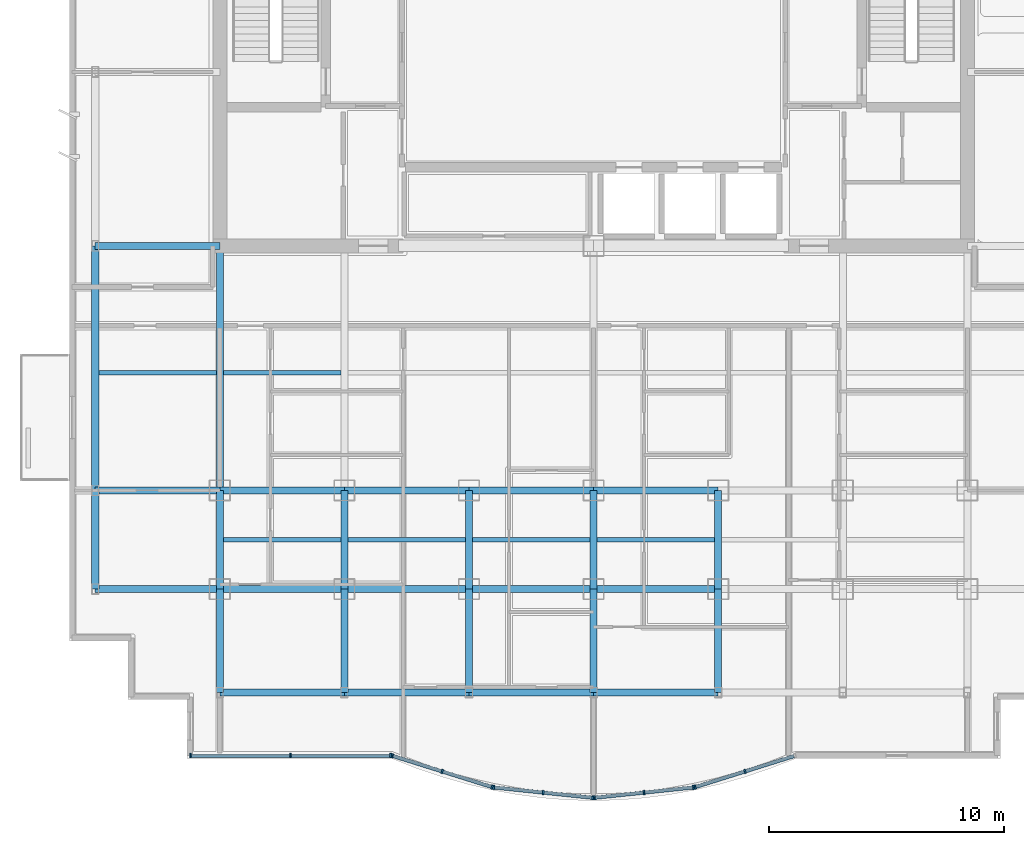
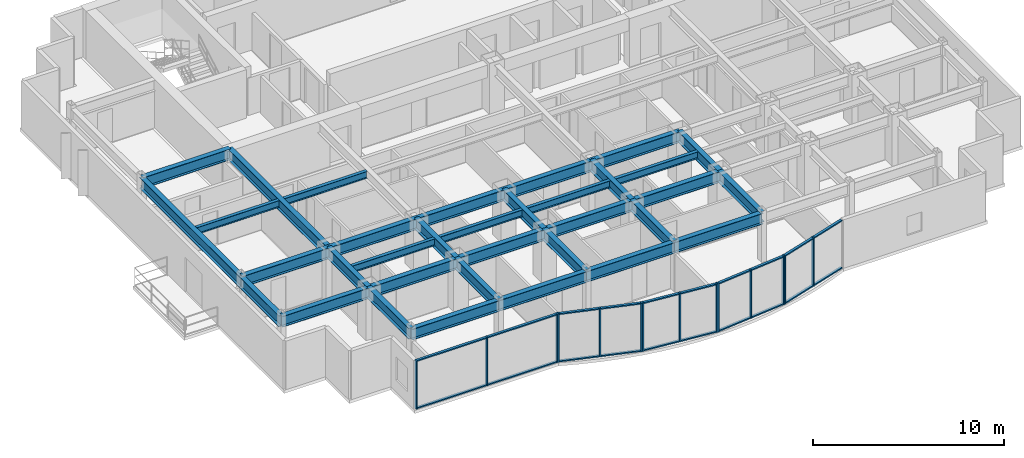
# One storey, part 2 of 11: 34 beams, 34 members, 5 elements without a shape of their own.
"""IFC4 building model written with IfcOpenShell, lengths in metres."""

from ifc_helpers import new_model, si_unit, direction, frame, origin, origin_2d, place, context, subcontext, project, spatial, rectangle, i_section, extrude, source, transform, mapped, material, layer, layer_set, material_profile, profile_set, type_object, element, aggregate, save


model = new_model("IFC4")

# Units and contexts
model_context = context("Model", 3, precision=1e-05, world=origin(), true_north=direction((0.0, 1.0)))
body_context = subcontext(model_context, "Body", "Model", "MODEL_VIEW")
ifc_project = project(units=[si_unit("LENGTHUNIT", "METRE"), si_unit("AREAUNIT", "SQUARE_METRE"), si_unit("VOLUMEUNIT", "CUBIC_METRE"), si_unit("PLANEANGLEUNIT", "RADIAN"), si_unit("MASSUNIT", "GRAM", prefix="KILO")], contexts=[model_context])

# Site, building, storey
site_placement = place(None, origin())
site = spatial("IfcSite", under=ifc_project, at=site_placement, CompositionType="ELEMENT")
building_placement = place(site_placement, origin())
building = spatial("IfcBuilding", under=site, at=building_placement, Name="Qianlan Lanfeng Residences", CompositionType="ELEMENT")
storey_placement = place(building_placement, frame((0.0, 0.0, 155.699951171875)))
storey = spatial("IfcBuildingStorey", under=building, at=storey_placement, Name="L42", CompositionType="ELEMENT", Elevation=155.699951171875)

# Beams
ifc_material_1 = material(Name="Steel SN490B", Category="steel")
ifc_material_profile_1 = material_profile(ifc_material_1, i_section(OverallWidth=0.300048828125, OverallDepth=0.699951171875, WebThickness=0.012939453125, FlangeThickness=0.02392578125, at=origin_2d()), Name="H 700x300x13x24")
ifc_profile_set_1 = profile_set([ifc_material_profile_1], Name="Steel SN490B")
beam_type_1 = type_object("IfcBeamType", Name="G-750", PredefinedType="BEAM", material=ifc_profile_set_1)
beam_1_placement = place(storey_placement, frame((5.300048828125, 10.60009765625, 2.75), z_axis=(1.0, 0.0, 0.0), x_axis=(0.0, 1.0, 0.0)))
element("IfcBeam", 1, at=beam_1_placement, inside=storey, type_object=beam_type_1, Name="Structural beam G-750", PredefinedType="BEAM", context=body_context, shape_type="SweptSolid", body=[
    extrude(i_section(OverallWidth=0.300048828125, OverallDepth=0.699951171875, WebThickness=0.012939453125, FlangeThickness=0.02392578125, at=origin_2d()), origin(), (0.0, 0.0, 1.0), 5.300048828125),
])
beam_2_placement = place(storey_placement, frame((10.60009765625, 10.60009765625, 2.75), z_axis=(1.0, 0.0, 0.0), x_axis=(0.0, 1.0, 0.0)))
element("IfcBeam", 2, at=beam_2_placement, inside=storey, type_object=beam_type_1, Name="Structural beam G-750", PredefinedType="BEAM", context=body_context, shape_type="SweptSolid", body=[
    extrude(i_section(OverallWidth=0.300048828125, OverallDepth=0.699951171875, WebThickness=0.012939453125, FlangeThickness=0.02392578125, at=origin_2d()), origin(), (0.0, 0.0, 1.0), 5.2998046875),
])
for number, where, z_axis, x_axis, name in (
    (3, (15.89990234375, 10.60009765625, 2.75), (1.0, 0.0, 0.0), (0.0, 1.0, 0.0), "Structural beam G-750"),
    (4, (21.199951171875, 10.60009765625, 2.75), (1.0, 0.0, 0.0), (0.0, 1.0, 0.0), "Structural beam G-750"),
    (5, (26.5, 10.60009765625, 2.75), (1.0, 0.0, 0.0), (0.0, 1.0, 0.0), "Structural beam G-750"),
    (6, (5.300048828125, 14.800048828125, 2.75), (1.0, 0.0, 0.0), (0.0, 1.0, 0.0), "Structural beam G-750"),
):
    element("IfcBeam", number, at=place(storey_placement, frame(where, z_axis=z_axis, x_axis=x_axis)), inside=storey, type_object=beam_type_1, Name=name, PredefinedType="BEAM", context=body_context, shape_type="SweptSolid", body=[
        extrude(i_section(OverallWidth=0.300048828125, OverallDepth=0.699951171875, WebThickness=0.012939453125, FlangeThickness=0.02392578125, at=origin_2d()), origin(), (0.0, 0.0, 1.0), 5.300048828125),
    ])
beam_3_placement = place(storey_placement, frame((10.60009765625, 14.800048828125, 2.75), z_axis=(1.0, 0.0, 0.0), x_axis=(0.0, 1.0, 0.0)))
element("IfcBeam", 7, at=beam_3_placement, inside=storey, type_object=beam_type_1, Name="Structural beam G-750", PredefinedType="BEAM", context=body_context, shape_type="SweptSolid", body=[
    extrude(i_section(OverallWidth=0.300048828125, OverallDepth=0.699951171875, WebThickness=0.012939453125, FlangeThickness=0.02392578125, at=origin_2d()), origin(), (0.0, 0.0, 1.0), 5.2998046875),
])
for number, where, z_axis, x_axis, name in (
    (8, (15.89990234375, 14.800048828125, 2.75), (1.0, 0.0, 0.0), (0.0, 1.0, 0.0), "Structural beam G-750"),
    (9, (21.199951171875, 14.800048828125, 2.75), (1.0, 0.0, 0.0), (0.0, 1.0, 0.0), "Structural beam G-750"),
    (10, (26.5, 14.800048828125, 2.75), (1.0, 0.0, 0.0), (0.0, 1.0, 0.0), "Structural beam G-750"),
    (11, (5.300048828125, 25.199951171875, 2.75), (1.0, 0.0, 0.0), (0.0, 1.0, 0.0), "Structural beam G-750"),
):
    element("IfcBeam", number, at=place(storey_placement, frame(where, z_axis=z_axis, x_axis=x_axis)), inside=storey, type_object=beam_type_1, Name=name, PredefinedType="BEAM", context=body_context, shape_type="SweptSolid", body=[
        extrude(i_section(OverallWidth=0.300048828125, OverallDepth=0.699951171875, WebThickness=0.012939453125, FlangeThickness=0.02392578125, at=origin_2d()), origin(), (0.0, 0.0, 1.0), 5.300048828125),
    ])
beam_4_placement = place(storey_placement, frame((10.60009765625, 6.199951171875, 2.75), z_axis=(0.0, 1.0, 0.0), x_axis=(-1.0, 0.0, 0.0)))
element("IfcBeam", 12, at=beam_4_placement, inside=storey, type_object=beam_type_1, Name="Structural beam G-750", PredefinedType="BEAM", context=body_context, shape_type="SweptSolid", body=[
    extrude(i_section(OverallWidth=0.300048828125, OverallDepth=0.699951171875, WebThickness=0.012939453125, FlangeThickness=0.02392578125, at=origin_2d()), origin(), (0.0, 0.0, 1.0), 4.400146484375),
])
beam_5_placement = place(storey_placement, frame((10.60009765625, 10.60009765625, 2.75), z_axis=(0.0, 1.0, 0.0), x_axis=(-1.0, 0.0, 0.0)))
element("IfcBeam", 13, at=beam_5_placement, inside=storey, type_object=beam_type_1, Name="Structural beam G-750", PredefinedType="BEAM", context=body_context, shape_type="SweptSolid", body=[
    extrude(i_section(OverallWidth=0.300048828125, OverallDepth=0.699951171875, WebThickness=0.012939453125, FlangeThickness=0.02392578125, at=origin_2d()), origin(), (0.0, 0.0, 1.0), 4.199951171875),
])
beam_6_placement = place(storey_placement, frame((10.60009765625, 14.800048828125, 2.75), z_axis=(0.0, 1.0, 0.0), x_axis=(-1.0, 0.0, 0.0)))
element("IfcBeam", 14, at=beam_6_placement, inside=storey, type_object=beam_type_1, Name="Structural beam G-750", PredefinedType="BEAM", context=body_context, shape_type="SweptSolid", body=[
    extrude(i_section(OverallWidth=0.300048828125, OverallDepth=0.699951171875, WebThickness=0.012939453125, FlangeThickness=0.02392578125, at=origin_2d()), origin(), (0.0, 0.0, 1.0), 10.39990234375),
])
beam_7_placement = place(storey_placement, frame((15.89990234375, 6.199951171875, 2.75), z_axis=(0.0, 1.0, 0.0), x_axis=(-1.0, 0.0, 0.0)))
element("IfcBeam", 15, at=beam_7_placement, inside=storey, type_object=beam_type_1, Name="Structural beam G-750", PredefinedType="BEAM", context=body_context, shape_type="SweptSolid", body=[
    extrude(i_section(OverallWidth=0.300048828125, OverallDepth=0.699951171875, WebThickness=0.012939453125, FlangeThickness=0.02392578125, at=origin_2d()), origin(), (0.0, 0.0, 1.0), 4.400146484375),
])
beam_8_placement = place(storey_placement, frame((15.89990234375, 10.60009765625, 2.75), z_axis=(0.0, 1.0, 0.0), x_axis=(-1.0, 0.0, 0.0)))
element("IfcBeam", 16, at=beam_8_placement, inside=storey, type_object=beam_type_1, Name="Structural beam G-750", PredefinedType="BEAM", context=body_context, shape_type="SweptSolid", body=[
    extrude(i_section(OverallWidth=0.300048828125, OverallDepth=0.699951171875, WebThickness=0.012939453125, FlangeThickness=0.02392578125, at=origin_2d()), origin(), (0.0, 0.0, 1.0), 4.199951171875),
])
beam_9_placement = place(storey_placement, frame((21.199951171875, 6.199951171875, 2.75), z_axis=(0.0, 1.0, 0.0), x_axis=(-1.0, 0.0, 0.0)))
element("IfcBeam", 17, at=beam_9_placement, inside=storey, type_object=beam_type_1, Name="Structural beam G-750", PredefinedType="BEAM", context=body_context, shape_type="SweptSolid", body=[
    extrude(i_section(OverallWidth=0.300048828125, OverallDepth=0.699951171875, WebThickness=0.012939453125, FlangeThickness=0.02392578125, at=origin_2d()), origin(), (0.0, 0.0, 1.0), 4.400146484375),
])
beam_10_placement = place(storey_placement, frame((21.199951171875, 10.60009765625, 2.75), z_axis=(0.0, 1.0, 0.0), x_axis=(-1.0, 0.0, 0.0)))
element("IfcBeam", 18, at=beam_10_placement, inside=storey, type_object=beam_type_1, Name="Structural beam G-750", PredefinedType="BEAM", context=body_context, shape_type="SweptSolid", body=[
    extrude(i_section(OverallWidth=0.300048828125, OverallDepth=0.699951171875, WebThickness=0.012939453125, FlangeThickness=0.02392578125, at=origin_2d()), origin(), (0.0, 0.0, 1.0), 4.199951171875),
])
beam_11_placement = place(storey_placement, frame((26.5, 6.199951171875, 2.75), z_axis=(0.0, 1.0, 0.0), x_axis=(-1.0, 0.0, 0.0)))
element("IfcBeam", 19, at=beam_11_placement, inside=storey, type_object=beam_type_1, Name="Structural beam G-750", PredefinedType="BEAM", context=body_context, shape_type="SweptSolid", body=[
    extrude(i_section(OverallWidth=0.300048828125, OverallDepth=0.699951171875, WebThickness=0.012939453125, FlangeThickness=0.02392578125, at=origin_2d()), origin(), (0.0, 0.0, 1.0), 4.400146484375),
])
beam_12_placement = place(storey_placement, frame((26.5, 10.60009765625, 2.75), z_axis=(0.0, 1.0, 0.0), x_axis=(-1.0, 0.0, 0.0)))
element("IfcBeam", 20, at=beam_12_placement, inside=storey, type_object=beam_type_1, Name="Structural beam G-750", PredefinedType="BEAM", context=body_context, shape_type="SweptSolid", body=[
    extrude(i_section(OverallWidth=0.300048828125, OverallDepth=0.699951171875, WebThickness=0.012939453125, FlangeThickness=0.02392578125, at=origin_2d()), origin(), (0.0, 0.0, 1.0), 4.199951171875),
])
beam_13_placement = place(storey_placement, frame((31.800048828125, 6.199951171875, 2.75), z_axis=(0.0, 1.0, 0.0), x_axis=(-1.0, 0.0, 0.0)))
element("IfcBeam", 21, at=beam_13_placement, inside=storey, type_object=beam_type_1, Name="Structural beam G-750", PredefinedType="BEAM", context=body_context, shape_type="SweptSolid", body=[
    extrude(i_section(OverallWidth=0.300048828125, OverallDepth=0.699951171875, WebThickness=0.012939453125, FlangeThickness=0.02392578125, at=origin_2d()), origin(), (0.0, 0.0, 1.0), 4.400146484375),
])
beam_14_placement = place(storey_placement, frame((31.800048828125, 10.60009765625, 2.75), z_axis=(0.0, 1.0, 0.0), x_axis=(-1.0, 0.0, 0.0)))
element("IfcBeam", 22, at=beam_14_placement, inside=storey, type_object=beam_type_1, Name="Structural beam G-750", PredefinedType="BEAM", context=body_context, shape_type="SweptSolid", body=[
    extrude(i_section(OverallWidth=0.300048828125, OverallDepth=0.699951171875, WebThickness=0.012939453125, FlangeThickness=0.02392578125, at=origin_2d()), origin(), (0.0, 0.0, 1.0), 4.199951171875),
])
ifc_material_profile_2 = material_profile(ifc_material_1, i_section(OverallWidth=0.199951171875, OverallDepth=0.449951171875, WebThickness=0.009033203125, FlangeThickness=0.013916015625, at=origin_2d()), Name="H 450x200x9x14")
ifc_profile_set_2 = profile_set([ifc_material_profile_2], Name="Steel SN490B")
beam_type_2 = type_object("IfcBeamType", Name="J-450", PredefinedType="JOIST", material=ifc_profile_set_2)
for number, where, z_axis, x_axis, name in (
    (23, (10.75, 12.699951171875, 2.875), (1.0, 0.0, 0.0), (0.0, 1.0, 0.0), "Structural beam J-450"),
    (24, (16.050048828125, 12.699951171875, 2.875), (1.0, 0.0, 0.0), (0.0, 1.0, 0.0), "Structural beam J-450"),
    (25, (21.35009765625, 12.699951171875, 2.875), (1.0, 0.0, 0.0), (0.0, 1.0, 0.0), "Structural beam J-450"),
    (26, (26.64990234375, 12.699951171875, 2.875), (1.0, 0.0, 0.0), (0.0, 1.0, 0.0), "Structural beam J-450"),
    (27, (5.449951171875, 19.800048828125, 2.875), (1.0, 0.0, 0.0), (0.0, 1.0, 0.0), "Structural beam J-450"),
    (28, (10.75, 19.800048828125, 2.875), (1.0, 0.0, 0.0), (0.0, 1.0, 0.0), "Structural beam J-450"),
):
    element("IfcBeam", number, at=place(storey_placement, frame(where, z_axis=z_axis, x_axis=x_axis)), inside=storey, type_object=beam_type_2, Name=name, PredefinedType="JOIST", context=body_context, shape_type="SweptSolid", body=[
        extrude(i_section(OverallWidth=0.199951171875, OverallDepth=0.449951171875, WebThickness=0.009033203125, FlangeThickness=0.013916015625, at=origin_2d()), origin(), (0.0, 0.0, 1.0), 5.0),
    ])
ifc_material_profile_3 = material_profile(ifc_material_1, i_section(OverallWidth=0.300048828125, OverallDepth=0.699951171875, WebThickness=0.012939453125, FlangeThickness=0.02392578125, at=origin_2d()), Name="H 700x300x13x24")
ifc_profile_set_3 = profile_set([ifc_material_profile_3], Name="Steel SN490B")
beam_type_3 = type_object("IfcBeamType", Name="SG-750", PredefinedType="SPANDREL", material=ifc_profile_set_3)
beam_15_placement = place(storey_placement, frame((10.60009765625, 6.199951171875, 2.739990234375), z_axis=(1.0, 0.0, 0.0), x_axis=(0.0, 1.0, 0.0)))
element("IfcBeam", 29, at=beam_15_placement, inside=storey, type_object=beam_type_3, Name="Structural beam SG-750", PredefinedType="SPANDREL", context=body_context, shape_type="SweptSolid", body=[
    extrude(i_section(OverallWidth=0.300048828125, OverallDepth=0.699951171875, WebThickness=0.012939453125, FlangeThickness=0.02392578125, at=origin_2d()), origin(), (0.0, 0.0, 1.0), 5.2998046875),
])
for number, where, z_axis, x_axis, name in (
    (30, (15.89990234375, 6.199951171875, 2.739990234375), (1.0, 0.0, 0.0), (0.0, 1.0, 0.0), "Structural beam SG-750"),
    (31, (21.199951171875, 6.199951171875, 2.739990234375), (1.0, 0.0, 0.0), (0.0, 1.0, 0.0), "Structural beam SG-750"),
    (32, (26.5, 6.199951171875, 2.739990234375), (1.0, 0.0, 0.0), (0.0, 1.0, 0.0), "Structural beam SG-750"),
):
    element("IfcBeam", number, at=place(storey_placement, frame(where, z_axis=z_axis, x_axis=x_axis)), inside=storey, type_object=beam_type_3, Name=name, PredefinedType="SPANDREL", context=body_context, shape_type="SweptSolid", body=[
        extrude(i_section(OverallWidth=0.300048828125, OverallDepth=0.699951171875, WebThickness=0.012939453125, FlangeThickness=0.02392578125, at=origin_2d()), origin(), (0.0, 0.0, 1.0), 5.300048828125),
    ])
beam_16_placement = place(storey_placement, frame((5.300048828125, 10.60009765625, 2.739990234375), z_axis=(0.0, 1.0, 0.0), x_axis=(-1.0, 0.0, 0.0)))
element("IfcBeam", 33, at=beam_16_placement, inside=storey, type_object=beam_type_3, Name="Structural beam SG-750", PredefinedType="SPANDREL", context=body_context, shape_type="SweptSolid", body=[
    extrude(i_section(OverallWidth=0.300048828125, OverallDepth=0.699951171875, WebThickness=0.012939453125, FlangeThickness=0.02392578125, at=origin_2d()), origin(), (0.0, 0.0, 1.0), 4.199951171875),
])
beam_17_placement = place(storey_placement, frame((5.300048828125, 14.800048828125, 2.739990234375), z_axis=(0.0, 1.0, 0.0), x_axis=(-1.0, 0.0, 0.0)))
element("IfcBeam", 34, at=beam_17_placement, inside=storey, type_object=beam_type_3, Name="Structural beam SG-750", PredefinedType="SPANDREL", context=body_context, shape_type="SweptSolid", body=[
    extrude(i_section(OverallWidth=0.300048828125, OverallDepth=0.699951171875, WebThickness=0.012939453125, FlangeThickness=0.02392578125, at=origin_2d()), origin(), (0.0, 0.0, 1.0), 10.39990234375),
])

# Curtain wall, members
ifc_material_2 = material(Name="Anodised Bronze Aluminium 6063-T6", Category="aluminium")
ifc_layer = layer(ifc_material_2, 0.219970703125)
ifc_layer_set = layer_set([ifc_layer], Name="Anodised Bronze Aluminium 6063-T6")
curtain_wall_type = type_object("IfcCurtainWallType", Name="CW-04", PredefinedType="NOTDEFINED", material=ifc_layer_set)
curtain_wall_1_placement = place(storey_placement, origin())
curtain_wall_1 = element("IfcCurtainWall", 35, at=curtain_wall_1_placement, inside=storey, type_object=curtain_wall_type, Name="L42 Unitised Curtain Wall CWR-L42-01 (CW-04)", PredefinedType="NOTDEFINED")
ifc_material_profile_4 = material_profile(ifc_material_2, rectangle(XDim=0.074951171875, YDim=0.14990234375, at=origin_2d()), Name="ALU TRANSOM 75x150")
ifc_profile_set_4 = profile_set([ifc_material_profile_4], Name="Anodised Bronze Aluminium 6063-T6")
member_type_1 = type_object("IfcMemberType", Name="CWT-150", PredefinedType="USERDEFINED", material=ifc_profile_set_4)
shared_shape_1 = source(origin(), body_context, "Body", "SweptSolid", [
    extrude(rectangle(XDim=0.074951171875, YDim=0.14990234375, at=origin_2d()), origin(), (0.0, 0.0, 1.0), 4.178955078125),
])
member_1_placement = place(storey_placement, frame((9.39501953125, 3.52001953125, 0.03759765625), z_axis=(1.0, 0.0, 0.0), x_axis=(0.0, 0.0, 1.0)))
member_1 = element("IfcMember", 36, at=member_1_placement, type_object=member_type_1, Name="CWR-L42-01 Transom 1-BOT", ObjectType="TRANSOM", PredefinedType="USERDEFINED", context=body_context, shape_type="MappedRepresentation", body=[
    mapped(shared_shape_1, transform((0.0, 0.0, 0.0), scale=1.0)),
])
member_2_placement = place(storey_placement, frame((9.39501953125, 3.52001953125, 3.0625), z_axis=(1.0, 0.0, 0.0), x_axis=(0.0, 0.0, 1.0)))
member_2 = element("IfcMember", 37, at=member_2_placement, type_object=member_type_1, Name="CWR-L42-01 Transom 1-TOP", ObjectType="TRANSOM", PredefinedType="USERDEFINED", context=body_context, shape_type="MappedRepresentation", body=[
    mapped(shared_shape_1, transform((0.0, 0.0, 0.0), scale=1.0)),
])
member_3_placement = place(storey_placement, frame((13.64892578125, 3.52001953125, 0.03759765625), z_axis=(1.0, 0.0, 0.0), x_axis=(0.0, 0.0, 1.0)))
member_3 = element("IfcMember", 38, at=member_3_placement, type_object=member_type_1, Name="CWR-L42-01 Transom 2-BOT", ObjectType="TRANSOM", PredefinedType="USERDEFINED", context=body_context, shape_type="MappedRepresentation", body=[
    mapped(shared_shape_1, transform((0.0, 0.0, 0.0), scale=1.0)),
])
member_4_placement = place(storey_placement, frame((13.64892578125, 3.52001953125, 3.0625), z_axis=(1.0, 0.0, 0.0), x_axis=(0.0, 0.0, 1.0)))
member_4 = element("IfcMember", 39, at=member_4_placement, type_object=member_type_1, Name="CWR-L42-01 Transom 2-TOP", ObjectType="TRANSOM", PredefinedType="USERDEFINED", context=body_context, shape_type="MappedRepresentation", body=[
    mapped(shared_shape_1, transform((0.0, 0.0, 0.0), scale=1.0)),
])

curtain_wall_2_placement = place(storey_placement, origin())
curtain_wall_2 = element("IfcCurtainWall", 40, at=curtain_wall_2_placement, inside=storey, type_object=curtain_wall_type, Name="L42 Unitised Curtain Wall CWR-L42-04 (CW-04)", PredefinedType="NOTDEFINED")
shared_shape_2 = source(origin(), body_context, "Body", "SweptSolid", [
    extrude(rectangle(XDim=0.074951171875, YDim=0.14990234375, at=origin_2d()), origin(), (0.0, 0.0, 1.0), 2.04150390625),
])
member_5_placement = place(storey_placement, frame((26.57470703125, 1.727783203125, 0.03759765625), z_axis=(0.994573388245, 0.104037374988, 0.0), x_axis=(0.0, 0.0, 1.0)))
member_5 = element("IfcMember", 41, at=member_5_placement, type_object=member_type_1, Name="CWR-L42-04 Transom 1-BOT", ObjectType="TRANSOM", PredefinedType="USERDEFINED", context=body_context, shape_type="MappedRepresentation", body=[
    mapped(shared_shape_2, transform((0.0, 0.0, 0.0), scale=1.0)),
])
member_6_placement = place(storey_placement, frame((26.57470703125, 1.727783203125, 3.0625), z_axis=(0.994573388245, 0.104037374988, 0.0), x_axis=(0.0, 0.0, 1.0)))
member_6 = element("IfcMember", 42, at=member_6_placement, type_object=member_type_1, Name="CWR-L42-04 Transom 1-TOP", ObjectType="TRANSOM", PredefinedType="USERDEFINED", context=body_context, shape_type="MappedRepresentation", body=[
    mapped(shared_shape_2, transform((0.0, 0.0, 0.0), scale=1.0)),
])

curtain_wall_3_placement = place(storey_placement, origin())
curtain_wall_3 = element("IfcCurtainWall", 43, at=curtain_wall_3_placement, inside=storey, type_object=curtain_wall_type, Name="L42 Unitised Curtain Wall CWR-L42-03 (CW-04)", PredefinedType="NOTDEFINED")
shared_shape_3 = source(origin(), body_context, "Body", "SweptSolid", [
    extrude(rectangle(XDim=0.074951171875, YDim=0.14990234375, at=origin_2d()), origin(), (0.0, 0.0, 1.0), 2.041748046875),
])
member_7_placement = place(storey_placement, frame((22.28955078125, 2.16015625, 0.03759765625), z_axis=(0.994587046158, -0.103906725548, 0.0), x_axis=(0.0, 0.0, 1.0)))
member_7 = element("IfcMember", 44, at=member_7_placement, type_object=member_type_1, Name="CWR-L42-03 Transom 1-BOT", ObjectType="TRANSOM", PredefinedType="USERDEFINED", context=body_context, shape_type="MappedRepresentation", body=[
    mapped(shared_shape_3, transform((0.0, 0.0, 0.0), scale=1.0)),
])
member_8_placement = place(storey_placement, frame((22.28955078125, 2.16015625, 3.0625), z_axis=(0.994587046158, -0.103906725548, 0.0), x_axis=(0.0, 0.0, 1.0)))
member_8 = element("IfcMember", 45, at=member_8_placement, type_object=member_type_1, Name="CWR-L42-03 Transom 1-TOP", ObjectType="TRANSOM", PredefinedType="USERDEFINED", context=body_context, shape_type="MappedRepresentation", body=[
    mapped(shared_shape_3, transform((0.0, 0.0, 0.0), scale=1.0)),
])
member_9_placement = place(storey_placement, frame((24.394775390625, 1.940185546875, 0.03759765625), z_axis=(0.994574682356, -0.104025002843, 0.0), x_axis=(0.0, 0.0, 1.0)))
member_9 = element("IfcMember", 46, at=member_9_placement, type_object=member_type_1, Name="CWR-L42-03 Transom 2-BOT", ObjectType="TRANSOM", PredefinedType="USERDEFINED", context=body_context, shape_type="MappedRepresentation", body=[
    mapped(shared_shape_3, transform((0.0, 0.0, 0.0), scale=1.0)),
])
member_10_placement = place(storey_placement, frame((24.394775390625, 1.940185546875, 3.0625), z_axis=(0.994574682356, -0.104025002843, 0.0), x_axis=(0.0, 0.0, 1.0)))
member_10 = element("IfcMember", 47, at=member_10_placement, type_object=member_type_1, Name="CWR-L42-03 Transom 2-TOP", ObjectType="TRANSOM", PredefinedType="USERDEFINED", context=body_context, shape_type="MappedRepresentation", body=[
    mapped(shared_shape_3, transform((0.0, 0.0, 0.0), scale=1.0)),
])

# Member
member_11_placement = place(storey_placement, frame((28.6796875, 1.947998046875, 0.03759765625), z_axis=(0.994587046158, 0.103906725548, 0.0), x_axis=(0.0, 0.0, 1.0)))
member_11 = element("IfcMember", 48, at=member_11_placement, type_object=member_type_1, Name="CWR-L42-04 Transom 2-BOT", ObjectType="TRANSOM", PredefinedType="USERDEFINED", context=body_context, shape_type="MappedRepresentation", body=[
    mapped(shared_shape_3, transform((0.0, 0.0, 0.0), scale=1.0)),
])

member_12_placement = place(storey_placement, frame((28.6796875, 1.947998046875, 3.0625), z_axis=(0.994587046158, 0.103906725548, 0.0), x_axis=(0.0, 0.0, 1.0)))
member_12 = element("IfcMember", 49, at=member_12_placement, type_object=member_type_1, Name="CWR-L42-04 Transom 2-TOP", ObjectType="TRANSOM", PredefinedType="USERDEFINED", context=body_context, shape_type="MappedRepresentation", body=[
    mapped(shared_shape_3, transform((0.0, 0.0, 0.0), scale=1.0)),
])

# Curtain wall, members
curtain_wall_4_placement = place(storey_placement, origin())
curtain_wall_4 = element("IfcCurtainWall", 50, at=curtain_wall_4_placement, inside=storey, type_object=curtain_wall_type, Name="L42 Unitised Curtain Wall CWR-L42-02 (CW-04)", PredefinedType="NOTDEFINED")
shared_shape_4 = source(origin(), body_context, "Body", "SweptSolid", [
    extrude(rectangle(XDim=0.074951171875, YDim=0.14990234375, at=origin_2d()), origin(), (0.0, 0.0, 1.0), 2.14697265625),
])
member_13_placement = place(storey_placement, frame((17.974609375, 3.49755859375, 0.03759765625), z_axis=(0.954194238714, -0.299187825296, 0.0), x_axis=(0.0, 0.0, 1.0)))
member_13 = element("IfcMember", 51, at=member_13_placement, type_object=member_type_1, Name="CWR-L42-02 Transom 1-BOT", ObjectType="TRANSOM", PredefinedType="USERDEFINED", context=body_context, shape_type="MappedRepresentation", body=[
    mapped(shared_shape_4, transform((0.0, 0.0, 0.0), scale=1.0)),
])
member_14_placement = place(storey_placement, frame((17.974609375, 3.49755859375, 3.0625), z_axis=(0.954194238714, -0.299187825296, 0.0), x_axis=(0.0, 0.0, 1.0)))
member_14 = element("IfcMember", 52, at=member_14_placement, type_object=member_type_1, Name="CWR-L42-02 Transom 1-TOP", ObjectType="TRANSOM", PredefinedType="USERDEFINED", context=body_context, shape_type="MappedRepresentation", body=[
    mapped(shared_shape_4, transform((0.0, 0.0, 0.0), scale=1.0)),
])
member_15_placement = place(storey_placement, frame((20.0947265625, 2.832763671875, 0.03759765625), z_axis=(0.954194238714, -0.299187825296, 0.0), x_axis=(0.0, 0.0, 1.0)))
member_15 = element("IfcMember", 53, at=member_15_placement, type_object=member_type_1, Name="CWR-L42-02 Transom 2-BOT", ObjectType="TRANSOM", PredefinedType="USERDEFINED", context=body_context, shape_type="MappedRepresentation", body=[
    mapped(shared_shape_4, transform((0.0, 0.0, 0.0), scale=1.0)),
])
member_16_placement = place(storey_placement, frame((20.0947265625, 2.832763671875, 3.0625), z_axis=(0.954194238714, -0.299187825296, 0.0), x_axis=(0.0, 0.0, 1.0)))
member_16 = element("IfcMember", 54, at=member_16_placement, type_object=member_type_1, Name="CWR-L42-02 Transom 2-TOP", ObjectType="TRANSOM", PredefinedType="USERDEFINED", context=body_context, shape_type="MappedRepresentation", body=[
    mapped(shared_shape_4, transform((0.0, 0.0, 0.0), scale=1.0)),
])

curtain_wall_5_placement = place(storey_placement, origin())
curtain_wall_5 = element("IfcCurtainWall", 55, at=curtain_wall_5_placement, inside=storey, type_object=curtain_wall_type, Name="L42 Unitised Curtain Wall CWR-L42-05 (CW-04)", PredefinedType="NOTDEFINED")
member_17_placement = place(storey_placement, frame((30.856689453125, 2.1904296875, 0.03759765625), z_axis=(0.954194238714, 0.299187825296, 0.0), x_axis=(0.0, 0.0, 1.0)))
member_17 = element("IfcMember", 56, at=member_17_placement, type_object=member_type_1, Name="CWR-L42-05 Transom 1-BOT", ObjectType="TRANSOM", PredefinedType="USERDEFINED", context=body_context, shape_type="MappedRepresentation", body=[
    mapped(shared_shape_4, transform((0.0, 0.0, 0.0), scale=1.0)),
])
member_18_placement = place(storey_placement, frame((30.856689453125, 2.1904296875, 3.0625), z_axis=(0.954194238714, 0.299187825296, 0.0), x_axis=(0.0, 0.0, 1.0)))
member_18 = element("IfcMember", 57, at=member_18_placement, type_object=member_type_1, Name="CWR-L42-05 Transom 1-TOP", ObjectType="TRANSOM", PredefinedType="USERDEFINED", context=body_context, shape_type="MappedRepresentation", body=[
    mapped(shared_shape_4, transform((0.0, 0.0, 0.0), scale=1.0)),
])
member_19_placement = place(storey_placement, frame((32.976806640625, 2.855224609375, 0.03759765625), z_axis=(0.954194238714, 0.299187825296, 0.0), x_axis=(0.0, 0.0, 1.0)))
member_19 = element("IfcMember", 58, at=member_19_placement, type_object=member_type_1, Name="CWR-L42-05 Transom 2-BOT", ObjectType="TRANSOM", PredefinedType="USERDEFINED", context=body_context, shape_type="MappedRepresentation", body=[
    mapped(shared_shape_4, transform((0.0, 0.0, 0.0), scale=1.0)),
])
member_20_placement = place(storey_placement, frame((32.976806640625, 2.855224609375, 3.0625), z_axis=(0.954194238714, 0.299187825296, 0.0), x_axis=(0.0, 0.0, 1.0)))
member_20 = element("IfcMember", 59, at=member_20_placement, type_object=member_type_1, Name="CWR-L42-05 Transom 2-TOP", ObjectType="TRANSOM", PredefinedType="USERDEFINED", context=body_context, shape_type="MappedRepresentation", body=[
    mapped(shared_shape_4, transform((0.0, 0.0, 0.0), scale=1.0)),
])

# Member
ifc_material_profile_5 = material_profile(ifc_material_2, rectangle(XDim=0.074951171875, YDim=0.179931640625, at=origin_2d()), Name="ALU MULLION 75x180")
ifc_profile_set_5 = profile_set([ifc_material_profile_5], Name="Anodised Bronze Aluminium 6063-T6")
member_type_2 = type_object("IfcMemberType", Name="CWM-180", PredefinedType="MULLION", material=ifc_profile_set_5)
shared_shape_5 = source(origin(), body_context, "Body", "SweptSolid", [
    extrude(rectangle(XDim=0.074951171875, YDim=0.179931640625, at=origin_2d()), origin(), (0.0, 0.0, 1.0), 3.10009765625),
])
member_21_placement = place(storey_placement, frame((9.357421875, 3.52001953125, 0.0), z_axis=(0.0, 0.0, 1.0), x_axis=(1.0, 0.0, 0.0)))
member_21 = element("IfcMember", 60, at=member_21_placement, type_object=member_type_2, Name="CWR-L42-01 Mullion 1", PredefinedType="MULLION", context=body_context, shape_type="MappedRepresentation", body=[
    mapped(shared_shape_5, transform((0.0, 0.0, 0.0), scale=1.0)),
])

member_22_placement = place(storey_placement, frame((13.611572265625, 3.52001953125, 0.0), z_axis=(0.0, 0.0, 1.0), x_axis=(1.0, 0.0, 0.0)))
member_22 = element("IfcMember", 61, at=member_22_placement, type_object=member_type_2, Name="CWR-L42-01 Mullion 2", PredefinedType="MULLION", context=body_context, shape_type="MappedRepresentation", body=[
    mapped(shared_shape_5, transform((0.0, 0.0, 0.0), scale=1.0)),
])

member_23_placement = place(storey_placement, frame((17.865478515625, 3.52001953125, 0.0), z_axis=(0.0, 0.0, 1.0), x_axis=(1.0, 0.0, 0.0)))
member_23 = element("IfcMember", 62, at=member_23_placement, type_object=member_type_2, Name="CWR-L42-01 Mullion 3", PredefinedType="MULLION", context=body_context, shape_type="MappedRepresentation", body=[
    mapped(shared_shape_5, transform((0.0, 0.0, 0.0), scale=1.0)),
])

aggregate(curtain_wall_1, [member_21, member_22, member_23, member_1, member_2, member_3, member_4])

member_24_placement = place(storey_placement, frame((17.938720703125, 3.5087890625, 0.0), z_axis=(0.0, 0.0, 1.0), x_axis=(0.954195954421, -0.299182353367, 0.0)))
member_24 = element("IfcMember", 63, at=member_24_placement, type_object=member_type_2, Name="CWR-L42-02 Mullion 1", PredefinedType="MULLION", context=body_context, shape_type="MappedRepresentation", body=[
    mapped(shared_shape_5, transform((0.0, 0.0, 0.0), scale=1.0)),
])

member_25_placement = place(storey_placement, frame((20.05908203125, 2.843994140625, 0.0), z_axis=(0.0, 0.0, 1.0), x_axis=(0.954195954421, -0.299182353367, 0.0)))
member_25 = element("IfcMember", 64, at=member_25_placement, type_object=member_type_2, Name="CWR-L42-02 Mullion 2", PredefinedType="MULLION", context=body_context, shape_type="MappedRepresentation", body=[
    mapped(shared_shape_5, transform((0.0, 0.0, 0.0), scale=1.0)),
])

member_26_placement = place(storey_placement, frame((22.17919921875, 2.17919921875, 0.0), z_axis=(0.0, 0.0, 1.0), x_axis=(0.954195954421, -0.299182353367, 0.0)))
member_26 = element("IfcMember", 65, at=member_26_placement, type_object=member_type_2, Name="CWR-L42-02 Mullion 3", PredefinedType="MULLION", context=body_context, shape_type="MappedRepresentation", body=[
    mapped(shared_shape_5, transform((0.0, 0.0, 0.0), scale=1.0)),
])

aggregate(curtain_wall_4, [member_24, member_25, member_26, member_13, member_14, member_15, member_16])

member_27_placement = place(storey_placement, frame((22.252197265625, 2.1640625, 0.0), z_axis=(0.0, 0.0, 1.0), x_axis=(0.994579031105, -0.103983416397, 0.0)))
member_27 = element("IfcMember", 66, at=member_27_placement, type_object=member_type_2, Name="CWR-L42-03 Mullion 1", PredefinedType="MULLION", context=body_context, shape_type="MappedRepresentation", body=[
    mapped(shared_shape_5, transform((0.0, 0.0, 0.0), scale=1.0)),
])

member_28_placement = place(storey_placement, frame((24.357421875, 1.944091796875, 0.0), z_axis=(0.0, 0.0, 1.0), x_axis=(0.994579031105, -0.103983416397, 0.0)))
member_28 = element("IfcMember", 67, at=member_28_placement, type_object=member_type_2, Name="CWR-L42-03 Mullion 2", PredefinedType="MULLION", context=body_context, shape_type="MappedRepresentation", body=[
    mapped(shared_shape_5, transform((0.0, 0.0, 0.0), scale=1.0)),
])

member_29_placement = place(storey_placement, frame((26.462646484375, 1.723876953125, 0.0), z_axis=(0.0, 0.0, 1.0), x_axis=(0.994579031105, -0.103983416397, 0.0)))
member_29 = element("IfcMember", 68, at=member_29_placement, type_object=member_type_2, Name="CWR-L42-03 Mullion 3", PredefinedType="MULLION", context=body_context, shape_type="MappedRepresentation", body=[
    mapped(shared_shape_5, transform((0.0, 0.0, 0.0), scale=1.0)),
])

aggregate(curtain_wall_3, [member_27, member_28, member_29, member_7, member_8, member_9, member_10])

member_30_placement = place(storey_placement, frame((26.537353515625, 1.723876953125, 0.0), z_axis=(0.0, 0.0, 1.0), x_axis=(0.994579031105, 0.103983416397, 0.0)))
member_30 = element("IfcMember", 69, at=member_30_placement, type_object=member_type_2, Name="CWR-L42-04 Mullion 1", PredefinedType="MULLION", context=body_context, shape_type="MappedRepresentation", body=[
    mapped(shared_shape_5, transform((0.0, 0.0, 0.0), scale=1.0)),
])

member_31_placement = place(storey_placement, frame((28.642578125, 1.944091796875, 0.0), z_axis=(0.0, 0.0, 1.0), x_axis=(0.994579031105, 0.103983416397, 0.0)))
member_31 = element("IfcMember", 70, at=member_31_placement, type_object=member_type_2, Name="CWR-L42-04 Mullion 2", PredefinedType="MULLION", context=body_context, shape_type="MappedRepresentation", body=[
    mapped(shared_shape_5, transform((0.0, 0.0, 0.0), scale=1.0)),
])

member_32_placement = place(storey_placement, frame((30.747802734375, 2.1640625, 0.0), z_axis=(0.0, 0.0, 1.0), x_axis=(0.994579031105, 0.103983416397, 0.0)))
member_32 = element("IfcMember", 71, at=member_32_placement, type_object=member_type_2, Name="CWR-L42-04 Mullion 3", PredefinedType="MULLION", context=body_context, shape_type="MappedRepresentation", body=[
    mapped(shared_shape_5, transform((0.0, 0.0, 0.0), scale=1.0)),
])

aggregate(curtain_wall_2, [member_30, member_31, member_32, member_5, member_6, member_11, member_12])

member_33_placement = place(storey_placement, frame((30.82080078125, 2.17919921875, 0.0), z_axis=(0.0, 0.0, 1.0), x_axis=(0.954195954421, 0.299182353367, 0.0)))
member_33 = element("IfcMember", 72, at=member_33_placement, type_object=member_type_2, Name="CWR-L42-05 Mullion 1", PredefinedType="MULLION", context=body_context, shape_type="MappedRepresentation", body=[
    mapped(shared_shape_5, transform((0.0, 0.0, 0.0), scale=1.0)),
])

member_34_placement = place(storey_placement, frame((32.94091796875, 2.843994140625, 0.0), z_axis=(0.0, 0.0, 1.0), x_axis=(0.954195954421, 0.299182353367, 0.0)))
member_34 = element("IfcMember", 73, at=member_34_placement, type_object=member_type_2, Name="CWR-L42-05 Mullion 2", PredefinedType="MULLION", context=body_context, shape_type="MappedRepresentation", body=[
    mapped(shared_shape_5, transform((0.0, 0.0, 0.0), scale=1.0)),
])

aggregate(curtain_wall_5, [member_33, member_34, member_17, member_18, member_19, member_20])

save(model, "model.ifc")
